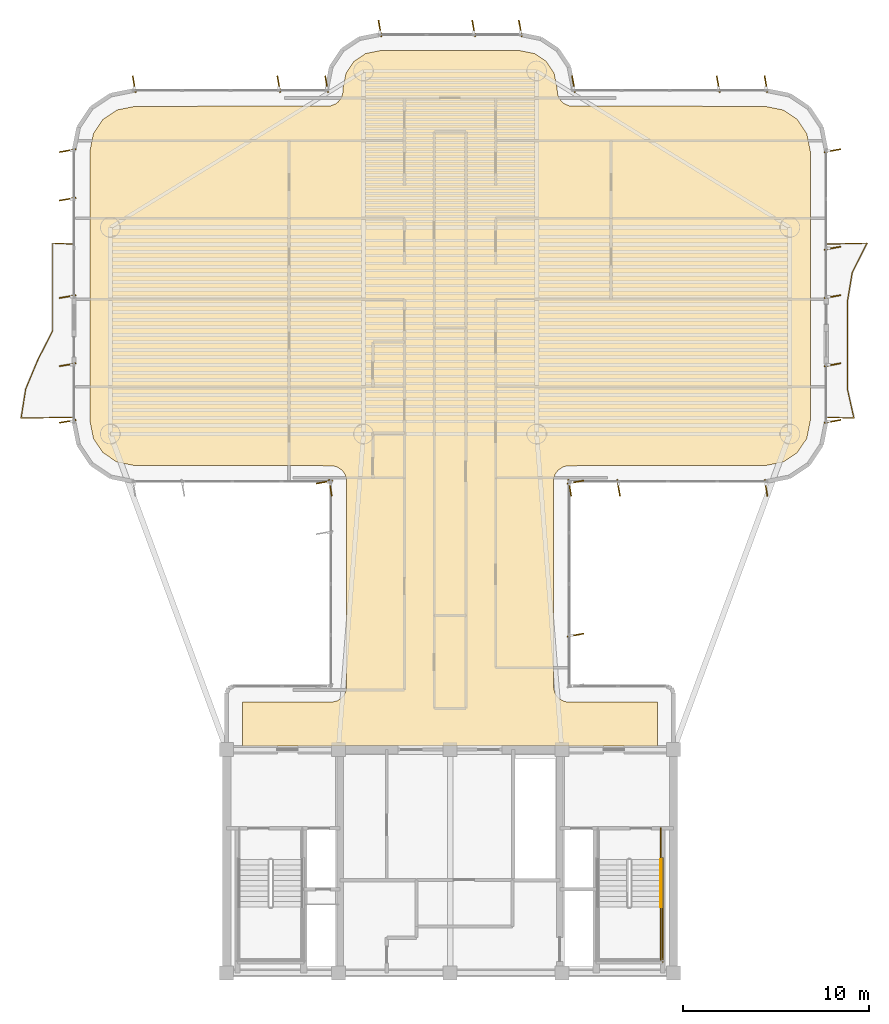
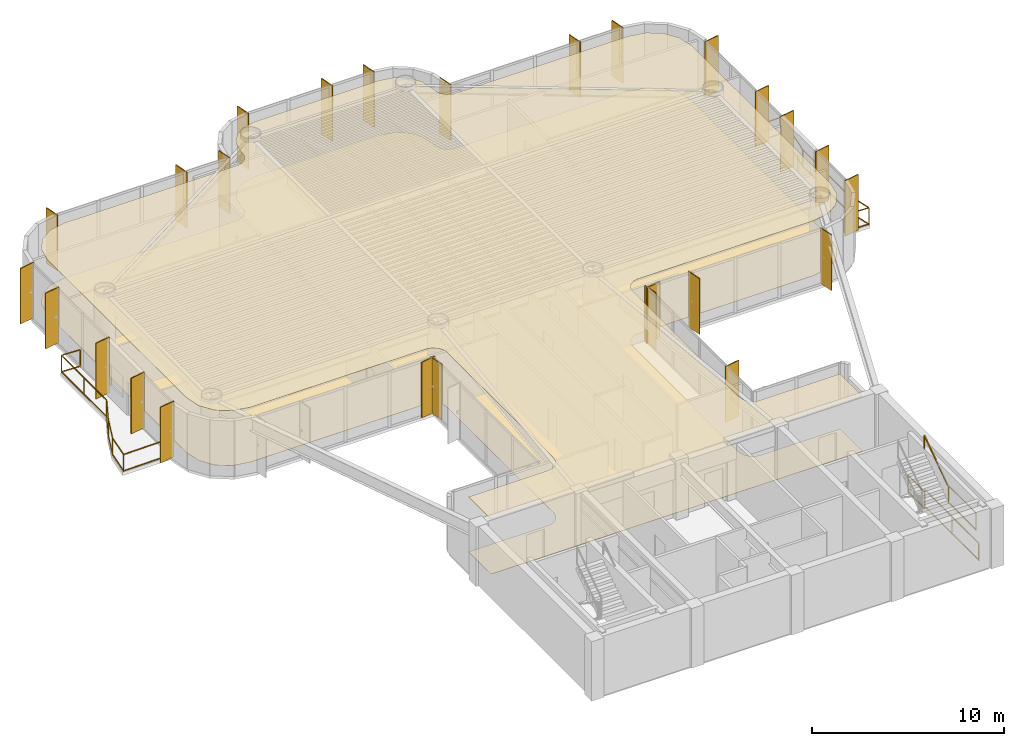
# One storey, part 14 of 14: 26 shading devices, 6 railings, 2 coverings.
"""IFC4 building model written with IfcOpenShell, lengths in metres."""

from ifc_helpers import new_model, si_unit, direction, frame, origin, origin_2d, place, context, subcontext, project, spatial, polyline, rectangle, outline, extrude, source, transform, mapped, material, layer, layer_set, material_profile, profile_set, type_object, element, save


model = new_model("IFC4")

# Units and contexts
model_context = context("Model", 3, precision=1e-05, world=origin(), true_north=direction((0.0, 1.0)))
body_context = subcontext(model_context, "Body", "Model", "MODEL_VIEW")
ifc_project = project(units=[si_unit("LENGTHUNIT", "METRE"), si_unit("AREAUNIT", "SQUARE_METRE"), si_unit("VOLUMEUNIT", "CUBIC_METRE"), si_unit("PLANEANGLEUNIT", "RADIAN"), si_unit("MASSUNIT", "GRAM", prefix="KILO")], contexts=[model_context])

# Site, building, storey
site_placement = place(None, origin())
site = spatial("IfcSite", under=ifc_project, at=site_placement, CompositionType="ELEMENT")
building_placement = place(site_placement, origin())
building = spatial("IfcBuilding", under=site, at=building_placement, Name="Brelvock Crest Care Tower", CompositionType="ELEMENT")
storey_placement = place(building_placement, frame((0.0, 0.0, 198.0)))
storey = spatial("IfcBuildingStorey", under=building, at=storey_placement, Name="L50", CompositionType="ELEMENT", Elevation=198.0)

# Coverings
ifc_material_1 = material(Name="Mineral Fibre Acoustic Ceiling Tile", Category="gypsum")
ifc_layer_1 = layer(ifc_material_1, 0.02490234375, Name="COV-CLG1")
ifc_layer_set_1 = layer_set([ifc_layer_1], Name="Mineral Fibre Acoustic Ceiling Tile")
covering_type_1 = type_object("IfcCoveringType", Name="COV-CLG1", PredefinedType="CEILING", material=ifc_layer_set_1)
covering_1_placement = place(storey_placement, frame((0.0, 0.0, 3.47509765625)))
element("IfcCovering", 1, at=covering_1_placement, inside=storey, type_object=covering_type_1, Name="L50 Acoustic Suspended Ceiling 1", PredefinedType="CEILING", context=body_context, shape_type="SweptSolid", body=[
    extrude(outline(polyline([(24.85009765625, 18.199951171875), (47.14990234375, 18.199951171875), (47.14990234375, 20.550048828125), (42.316650390625, 20.55419921875), (42.1533203125, 20.586669921875), (41.927734375, 20.693359375), (41.742919921875, 20.86083984375), (41.61474609375, 21.07470703125), (41.550048828125, 21.39990234375), (41.56640625, 32.56591796875), (41.650390625, 32.80078125), (41.799072265625, 33.0009765625), (42.07470703125, 33.185302734375), (42.316650390625, 33.245849609375), (52.916259765625, 33.25), (53.892822265625, 33.4443359375), (54.64990234375, 33.9501953125), (55.15576171875, 34.70703125), (55.35009765625, 35.68359375), (55.35009765625, 50.1162109375), (55.15576171875, 51.093017578125), (54.64990234375, 51.849853515625), (53.892822265625, 52.355712890625), (52.916259765625, 52.550048828125), (42.43408203125, 52.56640625), (42.127685546875, 52.693359375), (41.9990234375, 52.799072265625), (41.850341796875, 52.999267578125), (41.766357421875, 53.234130859375), (41.75, 53.516357421875), (41.586181640625, 54.33984375), (41.1669921875, 54.967041015625), (40.539794921875, 55.38623046875), (39.71630859375, 55.550048828125), (32.28369140625, 55.550048828125), (31.460205078125, 55.38623046875), (30.8330078125, 54.967041015625), (30.413818359375, 54.33984375), (30.25, 53.516357421875), (30.233642578125, 53.234130859375), (30.149658203125, 52.999267578125), (30.0009765625, 52.799072265625), (29.872314453125, 52.693359375), (29.56591796875, 52.56640625), (19.083740234375, 52.550048828125), (18.107177734375, 52.355712890625), (17.35009765625, 51.849853515625), (16.84423828125, 51.093017578125), (16.64990234375, 50.1162109375), (16.64990234375, 35.68359375), (16.84423828125, 34.70703125), (17.35009765625, 33.9501953125), (18.107177734375, 33.4443359375), (19.083740234375, 33.25), (29.683349609375, 33.245849609375), (29.92529296875, 33.185302734375), (30.200927734375, 33.0009765625), (30.349609375, 32.80078125), (30.43359375, 32.56591796875), (30.449951171875, 21.39990234375), (30.38525390625, 21.07470703125), (30.257080078125, 20.86083984375), (30.13916015625, 20.742919921875), (29.92529296875, 20.61474609375), (29.683349609375, 20.55419921875), (24.85009765625, 20.550048828125), (24.85009765625, 18.199951171875)])), origin(), (0.0, 0.0, 1.0), 0.02490234375),
])
ifc_material_2 = material(Name="Slip-Resistant Acoustic Vinyl Flooring", Category="finish")
ifc_layer_2 = layer(ifc_material_2, 0.014892578125, Name="COV-FLR1")
ifc_layer_set_2 = layer_set([ifc_layer_2], Name="Slip-Resistant Acoustic Vinyl Flooring")
covering_type_2 = type_object("IfcCoveringType", Name="COV-FLR1", PredefinedType="FLOORING", material=ifc_layer_set_2)
covering_2_placement = place(storey_placement, origin())
element("IfcCovering", 2, at=covering_2_placement, inside=storey, type_object=covering_type_2, Name="L50 Slip-Resistant Acoustic Flooring 1", PredefinedType="FLOORING", context=body_context, shape_type="SweptSolid", body=[
    extrude(outline(polyline([(24.85009765625, 18.199951171875), (47.14990234375, 18.199951171875), (47.14990234375, 20.550048828125), (42.316650390625, 20.55419921875), (42.1533203125, 20.586669921875), (41.927734375, 20.693359375), (41.742919921875, 20.86083984375), (41.61474609375, 21.07470703125), (41.550048828125, 21.39990234375), (41.56640625, 32.56591796875), (41.650390625, 32.80078125), (41.799072265625, 33.0009765625), (42.07470703125, 33.185302734375), (42.316650390625, 33.245849609375), (52.916259765625, 33.25), (53.892822265625, 33.4443359375), (54.64990234375, 33.9501953125), (55.15576171875, 34.70703125), (55.35009765625, 35.68359375), (55.35009765625, 50.1162109375), (55.15576171875, 51.093017578125), (54.64990234375, 51.849853515625), (53.892822265625, 52.355712890625), (52.916259765625, 52.550048828125), (42.43408203125, 52.56640625), (42.127685546875, 52.693359375), (41.9990234375, 52.799072265625), (41.850341796875, 52.999267578125), (41.766357421875, 53.234130859375), (41.75, 53.516357421875), (41.586181640625, 54.33984375), (41.1669921875, 54.967041015625), (40.539794921875, 55.38623046875), (39.71630859375, 55.550048828125), (32.28369140625, 55.550048828125), (31.460205078125, 55.38623046875), (30.8330078125, 54.967041015625), (30.413818359375, 54.33984375), (30.25, 53.516357421875), (30.233642578125, 53.234130859375), (30.149658203125, 52.999267578125), (30.0009765625, 52.799072265625), (29.872314453125, 52.693359375), (29.56591796875, 52.56640625), (19.083740234375, 52.550048828125), (18.107177734375, 52.355712890625), (17.35009765625, 51.849853515625), (16.84423828125, 51.093017578125), (16.64990234375, 50.1162109375), (16.64990234375, 35.68359375), (16.84423828125, 34.70703125), (17.35009765625, 33.9501953125), (18.107177734375, 33.4443359375), (19.083740234375, 33.25), (29.683349609375, 33.245849609375), (29.92529296875, 33.185302734375), (30.200927734375, 33.0009765625), (30.349609375, 32.80078125), (30.43359375, 32.56591796875), (30.449951171875, 21.39990234375), (30.38525390625, 21.07470703125), (30.257080078125, 20.86083984375), (30.13916015625, 20.742919921875), (29.92529296875, 20.61474609375), (29.683349609375, 20.55419921875), (24.85009765625, 20.550048828125), (24.85009765625, 18.199951171875)])), origin(), (0.0, 0.0, 1.0), 0.014892578125),
])

# Railings
ifc_material_3 = material(Name="Dark Glass Double Glazed Low-E", Category="glass")
ifc_layer_3 = layer(ifc_material_3, 0.06005859375, Name="RL-BAL1")
ifc_layer_set_3 = layer_set([ifc_layer_3], Name="Dark Glass Double Glazed Low-E")
railing_type_1 = type_object("IfcRailingType", Name="RL-BAL1", PredefinedType="BALUSTRADE", material=ifc_layer_set_3)
railing_1_placement = place(storey_placement, frame((15.760009765625, 35.85009765625, 0.00390625)))
element("IfcRailing", 3, at=railing_1_placement, inside=storey, type_object=railing_type_1, Name="L50 Safety Balustrade WB-W", PredefinedType="BALUSTRADE", context=body_context, shape_type="SweptSolid", body=[
    extrude(rectangle(XDim=0.048095703125, YDim=0.048095703125, at=origin_2d()), frame((-0.001953125, 0.0, 1.09619140625), z_axis=(-0.999840293507, -0.017871415134, 0.0), x_axis=(0.017871415134, -0.999840293507, 0.0)), (0.0, 0.0, 1.0), 2.79638671875),
    extrude(rectangle(XDim=0.048095703125, YDim=0.048095703125, at=origin_2d()), frame((-0.001953125, 0.0, 0.054931640625), z_axis=(-0.999840293507, -0.017871415134, 0.0), x_axis=(0.017871415134, -0.999840293507, 0.0)), (0.0, 0.0, 1.0), 2.79638671875),
    extrude(rectangle(XDim=0.048095703125, YDim=0.048095703125, at=origin_2d()), frame((-2.7998046875, -0.048095703125, 1.09619140625), z_axis=(0.156081137103, 0.987744237463, 0.0), x_axis=(-0.987744237463, 0.156081137103, 0.0)), (0.0, 0.0, 1.0), 1.58203125),
    extrude(rectangle(XDim=0.048095703125, YDim=0.048095703125, at=origin_2d()), frame((-2.7998046875, -0.048095703125, 0.054931640625), z_axis=(0.156081137103, 0.987744237463, 0.0), x_axis=(-0.987744237463, 0.156081137103, 0.0)), (0.0, 0.0, 1.0), 1.58203125),
    extrude(rectangle(XDim=0.048095703125, YDim=0.048095703125, at=origin_2d()), frame((-2.5517578125, 1.5185546875, 1.09619140625), z_axis=(0.384155606782, 0.923268362817, 0.0), x_axis=(-0.923268362817, 0.384155606782, 0.0)), (0.0, 0.0, 1.0), 1.69287109375),
    extrude(rectangle(XDim=0.048095703125, YDim=0.048095703125, at=origin_2d()), frame((-2.5517578125, 1.5185546875, 0.054931640625), z_axis=(0.384155606782, 0.923268362817, 0.0), x_axis=(-0.923268362817, 0.384155606782, 0.0)), (0.0, 0.0, 1.0), 1.69287109375),
    extrude(rectangle(XDim=0.048095703125, YDim=0.048095703125, at=origin_2d()), frame((-1.899658203125, 3.0849609375, 1.09619140625), z_axis=(0.455023036608, 0.890479666335, 0.0), x_axis=(-0.890479666335, 0.455023036608, 0.0)), (0.0, 0.0, 1.0), 1.75537109375),
    extrude(rectangle(XDim=0.048095703125, YDim=0.048095703125, at=origin_2d()), frame((-1.899658203125, 3.0849609375, 0.054931640625), z_axis=(0.455023036608, 0.890479666335, 0.0), x_axis=(-0.890479666335, 0.455023036608, 0.0)), (0.0, 0.0, 1.0), 1.75537109375),
    extrude(rectangle(XDim=0.048095703125, YDim=0.048095703125, at=origin_2d()), frame((-1.10009765625, 4.65185546875, 1.09619140625), z_axis=(0.0, 1.0, 0.0), x_axis=(-1.0, 0.0, 0.0)), (0.0, 0.0, 1.0), 4.696044921875),
    extrude(rectangle(XDim=0.048095703125, YDim=0.048095703125, at=origin_2d()), frame((-1.10009765625, 4.65185546875, 0.054931640625), z_axis=(0.0, 1.0, 0.0), x_axis=(-1.0, 0.0, 0.0)), (0.0, 0.0, 1.0), 4.696044921875),
    extrude(rectangle(XDim=0.048095703125, YDim=0.048095703125, at=origin_2d()), frame((-1.09814453125, 9.349853515625, 1.09619140625), z_axis=(0.998966710972, -0.045447886318, 0.0), x_axis=(0.045447886318, 0.998966710972, 0.0)), (0.0, 0.0, 1.0), 1.09716796875),
    extrude(rectangle(XDim=0.048095703125, YDim=0.048095703125, at=origin_2d()), frame((-1.09814453125, 9.349853515625, 0.054931640625), z_axis=(0.998966710972, -0.045447886318, 0.0), x_axis=(0.045447886318, 0.998966710972, 0.0)), (0.0, 0.0, 1.0), 1.09716796875),
    extrude(rectangle(XDim=0.0419921875, YDim=0.0419921875, at=origin_2d()), origin(), (0.0, 0.0, 1.0), 1.070068359375),
    extrude(rectangle(XDim=0.0419921875, YDim=0.0419921875, at=origin_2d()), frame((-2.800048828125, -0.050048828125, 0.0)), (0.0, 0.0, 1.0), 1.070068359375),
    extrude(rectangle(XDim=0.0419921875, YDim=0.0419921875, at=origin_2d()), frame((-2.552490234375, 1.5166015625, 0.0)), (0.0, 0.0, 1.0), 1.070068359375),
    extrude(rectangle(XDim=0.0419921875, YDim=0.0419921875, at=origin_2d()), frame((-1.900634765625, 3.083251953125, 0.0)), (0.0, 0.0, 1.0), 1.070068359375),
    extrude(rectangle(XDim=0.0419921875, YDim=0.0419921875, at=origin_2d()), frame((-1.10009765625, 4.64990234375, 0.0)), (0.0, 0.0, 1.0), 1.070068359375),
    extrude(rectangle(XDim=0.0419921875, YDim=0.0419921875, at=origin_2d()), frame((-1.10009765625, 7.0, 0.0)), (0.0, 0.0, 1.0), 1.070068359375),
    extrude(rectangle(XDim=0.0419921875, YDim=0.0419921875, at=origin_2d()), frame((-1.10009765625, 9.349853515625, 0.0)), (0.0, 0.0, 1.0), 1.070068359375),
    extrude(rectangle(XDim=0.0419921875, YDim=0.0419921875, at=origin_2d()), frame((0.0, 9.2998046875, 0.0)), (0.0, 0.0, 1.0), 1.070068359375),
])
railing_2_placement = place(storey_placement, frame((56.239990234375, 35.85009765625, 0.00390625)))
element("IfcRailing", 4, at=railing_2_placement, inside=storey, type_object=railing_type_1, Name="L50 Safety Balustrade WB-E", PredefinedType="BALUSTRADE", context=body_context, shape_type="SweptSolid", body=[
    extrude(rectangle(XDim=0.048095703125, YDim=0.048095703125, at=origin_2d()), frame((0.001953125, 0.0, 1.09619140625), z_axis=(0.999404799616, -0.034497050669, 0.0), x_axis=(0.034497050669, 0.999404799616, 0.0)), (0.0, 0.0, 1.0), 1.44677734375),
    extrude(rectangle(XDim=0.048095703125, YDim=0.048095703125, at=origin_2d()), frame((0.001953125, 0.0, 0.054931640625), z_axis=(0.999404799616, -0.034497050669, 0.0), x_axis=(0.034497050669, 0.999404799616, 0.0)), (0.0, 0.0, 1.0), 1.44677734375),
    extrude(rectangle(XDim=0.048095703125, YDim=0.048095703125, at=origin_2d()), frame((1.449462890625, -0.048095703125, 1.09619140625), z_axis=(-0.217944869965, 0.97596108204, 0.0), x_axis=(-0.97596108204, -0.217944869965, 0.0)), (0.0, 0.0, 1.0), 1.601318359375),
    extrude(rectangle(XDim=0.048095703125, YDim=0.048095703125, at=origin_2d()), frame((1.449462890625, -0.048095703125, 0.054931640625), z_axis=(-0.217944869965, 0.97596108204, 0.0), x_axis=(-0.97596108204, -0.217944869965, 0.0)), (0.0, 0.0, 1.0), 1.601318359375),
    extrude(rectangle(XDim=0.048095703125, YDim=0.048095703125, at=origin_2d()), frame((1.10009765625, 1.5185546875, 1.09619140625), z_axis=(0.0, 1.0, 0.0), x_axis=(-1.0, 0.0, 0.0)), (0.0, 0.0, 1.0), 4.696044921875),
    extrude(rectangle(XDim=0.048095703125, YDim=0.048095703125, at=origin_2d()), frame((1.10009765625, 1.5185546875, 0.054931640625), z_axis=(0.0, 1.0, 0.0), x_axis=(-1.0, 0.0, 0.0)), (0.0, 0.0, 1.0), 4.696044921875),
    extrude(rectangle(XDim=0.048095703125, YDim=0.048095703125, at=origin_2d()), frame((1.100341796875, 6.218505859375, 1.09619140625), z_axis=(0.164772855008, 0.986331539723, 0.0), x_axis=(-0.986331539723, 0.164772855008, 0.0)), (0.0, 0.0, 1.0), 1.58447265625),
    extrude(rectangle(XDim=0.048095703125, YDim=0.048095703125, at=origin_2d()), frame((1.100341796875, 6.218505859375, 0.054931640625), z_axis=(0.164772855008, 0.986331539723, 0.0), x_axis=(-0.986331539723, 0.164772855008, 0.0)), (0.0, 0.0, 1.0), 1.58447265625),
    extrude(rectangle(XDim=0.048095703125, YDim=0.048095703125, at=origin_2d()), frame((1.36279296875, 7.784912109375, 1.09619140625), z_axis=(0.451933820118, 0.892051468377, 0.0), x_axis=(-0.892051468377, 0.451933820118, 0.0)), (0.0, 0.0, 1.0), 1.752197265625),
    extrude(rectangle(XDim=0.048095703125, YDim=0.048095703125, at=origin_2d()), frame((1.36279296875, 7.784912109375, 0.054931640625), z_axis=(0.451933820118, 0.892051468377, 0.0), x_axis=(-0.892051468377, 0.451933820118, 0.0)), (0.0, 0.0, 1.0), 1.752197265625),
    extrude(rectangle(XDim=0.048095703125, YDim=0.048095703125, at=origin_2d()), frame((2.153564453125, 9.349853515625, 1.09619140625), z_axis=(-0.999730549413, -0.023212681236, 0.0), x_axis=(0.023212681236, -0.999730549413, 0.0)), (0.0, 0.0, 1.0), 2.152099609375),
    extrude(rectangle(XDim=0.048095703125, YDim=0.048095703125, at=origin_2d()), frame((2.153564453125, 9.349853515625, 0.054931640625), z_axis=(-0.999730549413, -0.023212681236, 0.0), x_axis=(0.023212681236, -0.999730549413, 0.0)), (0.0, 0.0, 1.0), 2.152099609375),
    extrude(rectangle(XDim=0.0419921875, YDim=0.0419921875, at=origin_2d()), origin(), (0.0, 0.0, 1.0), 1.070068359375),
    extrude(rectangle(XDim=0.0419921875, YDim=0.0419921875, at=origin_2d()), frame((1.449951171875, -0.050048828125, 0.0)), (0.0, 0.0, 1.0), 1.070068359375),
    extrude(rectangle(XDim=0.0419921875, YDim=0.0419921875, at=origin_2d()), frame((1.10009765625, 1.5166015625, 0.0)), (0.0, 0.0, 1.0), 1.070068359375),
    extrude(rectangle(XDim=0.0419921875, YDim=0.0419921875, at=origin_2d()), frame((1.10009765625, 3.86669921875, 0.0)), (0.0, 0.0, 1.0), 1.070068359375),
    extrude(rectangle(XDim=0.0419921875, YDim=0.0419921875, at=origin_2d()), frame((1.10009765625, 6.216552734375, 0.0)), (0.0, 0.0, 1.0), 1.070068359375),
    extrude(rectangle(XDim=0.0419921875, YDim=0.0419921875, at=origin_2d()), frame((1.36181640625, 7.783203125, 0.0)), (0.0, 0.0, 1.0), 1.070068359375),
    extrude(rectangle(XDim=0.0419921875, YDim=0.0419921875, at=origin_2d()), frame((2.155517578125, 9.349853515625, 0.0)), (0.0, 0.0, 1.0), 1.070068359375),
    extrude(rectangle(XDim=0.0419921875, YDim=0.0419921875, at=origin_2d()), frame((0.0, 9.2998046875, 0.0)), (0.0, 0.0, 1.0), 1.070068359375),
])
ifc_material_4 = material(Name="Steel Grade 350", Category="steel")
ifc_layer_4 = layer(ifc_material_4, 0.050048828125, Name="RL-STG1")
ifc_layer_set_4 = layer_set([ifc_layer_4], Name="Steel Grade 350")
railing_type_2 = type_object("IfcRailingType", Name="RL-STG1", PredefinedType="GUARDRAIL", material=ifc_layer_set_4)
railing_3_placement = place(storey_placement, frame((47.320068359375, 9.56005859375, 1.889892578125)))
element("IfcRailing", 5, at=railing_3_placement, inside=storey, type_object=railing_type_2, Name="L50 ST-2 stair guard 4", PredefinedType="GUARDRAIL", context=body_context, shape_type="SweptSolid", body=[
    extrude(rectangle(XDim=0.048095703125, YDim=0.048095703125, at=origin_2d()), frame((0.0, -0.001953125, 1.11572265625), z_axis=(0.0, -1.0, 0.0), x_axis=(1.0, 0.0, 0.0)), (0.0, 0.0, 1.0), 2.856201171875),
    extrude(rectangle(XDim=0.048095703125, YDim=0.048095703125, at=origin_2d()), frame((0.0, -0.001953125, 0.054931640625), z_axis=(0.0, -1.0, 0.0), x_axis=(1.0, 0.0, 0.0)), (0.0, 0.0, 1.0), 2.856201171875),
    extrude(rectangle(XDim=0.0419921875, YDim=0.0419921875, at=origin_2d()), origin(), (0.0, 0.0, 1.0), 1.08984375),
    extrude(rectangle(XDim=0.0419921875, YDim=0.0419921875, at=origin_2d()), frame((0.0, -2.860107421875, 0.0)), (0.0, 0.0, 1.0), 1.08984375),
])
railing_4_placement = place(storey_placement, frame((47.320068359375, 13.780029296875, 0.0)))
element("IfcRailing", 6, at=railing_4_placement, inside=storey, type_object=railing_type_2, Name="L50 ST-2 stair guard 9", PredefinedType="GUARDRAIL", context=body_context, shape_type="SweptSolid", body=[
    extrude(rectangle(XDim=0.048095703125, YDim=0.048095703125, at=origin_2d()), frame((0.0, -0.001953125, 1.11572265625), z_axis=(0.0, -1.0, 0.0), x_axis=(1.0, 0.0, 0.0)), (0.0, 0.0, 1.0), 1.696044921875),
    extrude(rectangle(XDim=0.048095703125, YDim=0.048095703125, at=origin_2d()), frame((0.0, -0.001953125, 0.054931640625), z_axis=(0.0, -1.0, 0.0), x_axis=(1.0, 0.0, 0.0)), (0.0, 0.0, 1.0), 1.696044921875),
    extrude(rectangle(XDim=0.0419921875, YDim=0.0419921875, at=origin_2d()), origin(), (0.0, 0.0, 1.0), 1.08984375),
    extrude(rectangle(XDim=0.0419921875, YDim=0.0419921875, at=origin_2d()), frame((0.0, -1.699951171875, 0.0)), (0.0, 0.0, 1.0), 1.08984375),
])
railing_5_placement = place(storey_placement, frame((47.419921875, 12.179931640625, 0.0)))
element("IfcRailing", 7, at=railing_5_placement, inside=storey, type_object=railing_type_2, Name="L50 ST-2 stair guard 11", PredefinedType="GUARDRAIL", context=body_context, shape_type="SweptSolid", body=[
    extrude(rectangle(XDim=0.048095703125, YDim=0.048095703125, at=origin_2d()), frame((0.0, -0.001953125, 1.11572265625), z_axis=(0.0, -1.0, 0.0), x_axis=(1.0, 0.0, 0.0)), (0.0, 0.0, 1.0), 5.575927734375),
    extrude(rectangle(XDim=0.048095703125, YDim=0.048095703125, at=origin_2d()), frame((0.0, -0.001953125, 0.054931640625), z_axis=(0.0, -1.0, 0.0), x_axis=(1.0, 0.0, 0.0)), (0.0, 0.0, 1.0), 5.575927734375),
    extrude(rectangle(XDim=0.0419921875, YDim=0.0419921875, at=origin_2d()), origin(), (0.0, 0.0, 1.0), 1.08984375),
    extrude(rectangle(XDim=0.0419921875, YDim=0.0419921875, at=origin_2d()), frame((0.0, -2.7900390625, 0.0)), (0.0, 0.0, 1.0), 1.08984375),
    extrude(rectangle(XDim=0.0419921875, YDim=0.0419921875, at=origin_2d()), frame((0.0, -5.579833984375, 0.0)), (0.0, 0.0, 1.0), 1.08984375),
])
ifc_layer_5 = layer(ifc_material_4, 0.048095703125, Name="RL-STH1")
ifc_layer_set_5 = layer_set([ifc_layer_5], Name="Steel Grade 350")
railing_type_3 = type_object("IfcRailingType", Name="RL-STH1", PredefinedType="HANDRAIL", material=ifc_layer_set_5)
railing_6_placement = place(storey_placement, frame((47.320068359375, 9.56005859375, 2.0791015625)))
element("IfcRailing", 8, at=railing_6_placement, inside=storey, type_object=railing_type_3, Name="L50 ST-2 stair handrail 2", PredefinedType="HANDRAIL", context=body_context, shape_type="SweptSolid", body=[
    extrude(rectangle(XDim=0.048095703125, YDim=0.048095703125, at=origin_2d()), frame((0.0, 0.001708984375, 0.876953125), z_axis=(0.0, 0.828861706735, 0.559453546873), x_axis=(-1.0, 0.0, 0.0)), (0.0, 0.0, 1.0), 3.036376953125),
    extrude(rectangle(XDim=0.0419921875, YDim=0.0419921875, at=origin_2d()), origin(), (0.0, 0.0, 1.0), 0.849853515625),
    extrude(rectangle(XDim=0.0419921875, YDim=0.0419921875, at=origin_2d()), frame((0.0, 2.52001953125, 1.700927734375)), (0.0, 0.0, 1.0), 0.849853515625),
])

# Shading devices
ifc_material_5 = material(Name="Aluminium 6063-T6", Category="aluminium")
ifc_material_profile = material_profile(ifc_material_5, rectangle(XDim=0.054931640625, YDim=0.89990234375, at=origin_2d()), Name="FIN55x900")
ifc_profile_set = profile_set([ifc_material_profile], Name="Aluminium 6063-T6")
shading_device_type = type_object("IfcShadingDeviceType", Name="SHD-FIN1", PredefinedType="USERDEFINED", material=ifc_profile_set)
shared_shape = source(origin(), body_context, "Body", "SweptSolid", [
    extrude(rectangle(XDim=0.054931640625, YDim=0.89990234375, at=origin_2d()), origin(), (0.0, 0.0, 1.0), 3.530029296875),
])
for number, where, z_axis, x_axis, name in (
    (9, (29.260009765625, 32.3701171875, 0.0), (0.0, 0.0, 1.0), (-0.173648177667, 0.984807753012, 0.0), "L50 Vertical Sunshade Fin E11-05"),
    (10, (29.570068359375, 32.06005859375, 0.0), (0.0, 0.0, 1.0), (-0.984807753012, -0.173648177667, 0.0), "L50 Vertical Sunshade Fin E12-01"),
    (11, (15.4599609375, 35.6298828125, 0.0), (0.0, 0.0, 1.0), (-0.173648177667, 0.984807753012, 0.0), "L50 Vertical Sunshade Fin E17A-01"),
    (12, (15.4599609375, 38.669921875, 0.0), (0.0, 0.0, 1.0), (-0.173648177667, 0.984807753012, 0.0), "L50 Vertical Sunshade Fin E17A-02"),
    (13, (15.4599609375, 42.330078125, 0.0), (0.0, 0.0, 1.0), (-0.173648177667, 0.984807753012, 0.0), "L50 Vertical Sunshade Fin E17B-01"),
    (14, (15.4599609375, 47.566650390625, 0.0), (0.0, 0.0, 1.0), (-0.173648177667, 0.984807753012, 0.0), "L50 Vertical Sunshade Fin E17B-03"),
    (15, (15.4599609375, 50.169921875, 0.0), (0.0, 0.0, 1.0), (-0.173648177667, 0.984807753012, 0.0), "L50 Vertical Sunshade Fin E17B-04"),
    (16, (19.030029296875, 53.739990234375, 0.0), (0.0, 0.0, 1.0), (0.984807753012, 0.173648177667, 0.0), "L50 Vertical Sunshade Fin E22-01"),
    (17, (26.800048828125, 53.739990234375, 0.0), (0.0, 0.0, 1.0), (0.984807753012, 0.173648177667, 0.0), "L50 Vertical Sunshade Fin E22-04"),
    (18, (29.3701171875, 53.739990234375, 0.0), (0.0, 0.0, 1.0), (0.984807753012, 0.173648177667, 0.0), "L50 Vertical Sunshade Fin E22-05"),
    (19, (32.22998046875, 56.739990234375, 0.0), (0.0, 0.0, 1.0), (0.984807753012, 0.173648177667, 0.0), "L50 Vertical Sunshade Fin E28-01"),
    (20, (37.2666015625, 56.739990234375, 0.0), (0.0, 0.0, 1.0), (0.984807753012, 0.173648177667, 0.0), "L50 Vertical Sunshade Fin E28-03"),
    (21, (39.77001953125, 56.739990234375, 0.0), (0.0, 0.0, 1.0), (0.984807753012, 0.173648177667, 0.0), "L50 Vertical Sunshade Fin E28-04"),
    (22, (42.6298828125, 53.739990234375, 0.0), (0.0, 0.0, 1.0), (0.984807753012, 0.173648177667, 0.0), "L50 Vertical Sunshade Fin E34-01"),
    (23, (50.39990234375, 53.739990234375, 0.0), (0.0, 0.0, 1.0), (0.984807753012, 0.173648177667, 0.0), "L50 Vertical Sunshade Fin E34-04"),
    (24, (52.969970703125, 53.739990234375, 0.0), (0.0, 0.0, 1.0), (0.984807753012, 0.173648177667, 0.0), "L50 Vertical Sunshade Fin E34-05"),
    (25, (56.5400390625, 50.169921875, 0.0), (0.0, 0.0, 1.0), (0.173648177667, -0.984807753012, 0.0), "L50 Vertical Sunshade Fin E39A-01"),
    (26, (56.5400390625, 44.933349609375, 0.0), (0.0, 0.0, 1.0), (0.173648177667, -0.984807753012, 0.0), "L50 Vertical Sunshade Fin E39A-03"),
    (27, (56.5400390625, 42.330078125, 0.0), (0.0, 0.0, 1.0), (0.173648177667, -0.984807753012, 0.0), "L50 Vertical Sunshade Fin E39A-04"),
    (28, (56.5400390625, 38.669921875, 0.0), (0.0, 0.0, 1.0), (0.173648177667, -0.984807753012, 0.0), "L50 Vertical Sunshade Fin E39B-01"),
    (29, (56.5400390625, 35.6298828125, 0.0), (0.0, 0.0, 1.0), (0.173648177667, -0.984807753012, 0.0), "L50 Vertical Sunshade Fin E39B-02"),
    (30, (52.969970703125, 32.06005859375, 0.0), (0.0, 0.0, 1.0), (-0.984807753012, -0.173648177667, 0.0), "L50 Vertical Sunshade Fin E44-01"),
    (31, (45.050048828125, 32.06005859375, 0.0), (0.0, 0.0, 1.0), (-0.984807753012, -0.173648177667, 0.0), "L50 Vertical Sunshade Fin E44-04"),
    (32, (42.429931640625, 32.06005859375, 0.0), (0.0, 0.0, 1.0), (-0.984807753012, -0.173648177667, 0.0), "L50 Vertical Sunshade Fin E44-05"),
    (33, (42.739990234375, 32.3701171875, 0.0), (0.0, 0.0, 1.0), (0.173648177667, -0.984807753012, 0.0), "L50 Vertical Sunshade Fin E45-01"),
    (34, (42.739990234375, 24.14990234375, 0.0), (0.0, 0.0, 1.0), (0.173648177667, -0.984807753012, 0.0), "L50 Vertical Sunshade Fin E45-04"),
):
    element("IfcShadingDevice", number, at=place(storey_placement, frame(where, z_axis=z_axis, x_axis=x_axis)), inside=storey, type_object=shading_device_type, Name=name, ObjectType="FIN", PredefinedType="USERDEFINED", context=body_context, shape_type="MappedRepresentation", body=[
        mapped(shared_shape, transform((0.0, 0.0, 0.0), x_axis=(1.0, 0.0, 0.0), y_axis=(0.0, 1.0, 0.0), z_axis=(0.0, 0.0, 1.0), scale=1.0)),
    ])

save(model, "model.ifc")
